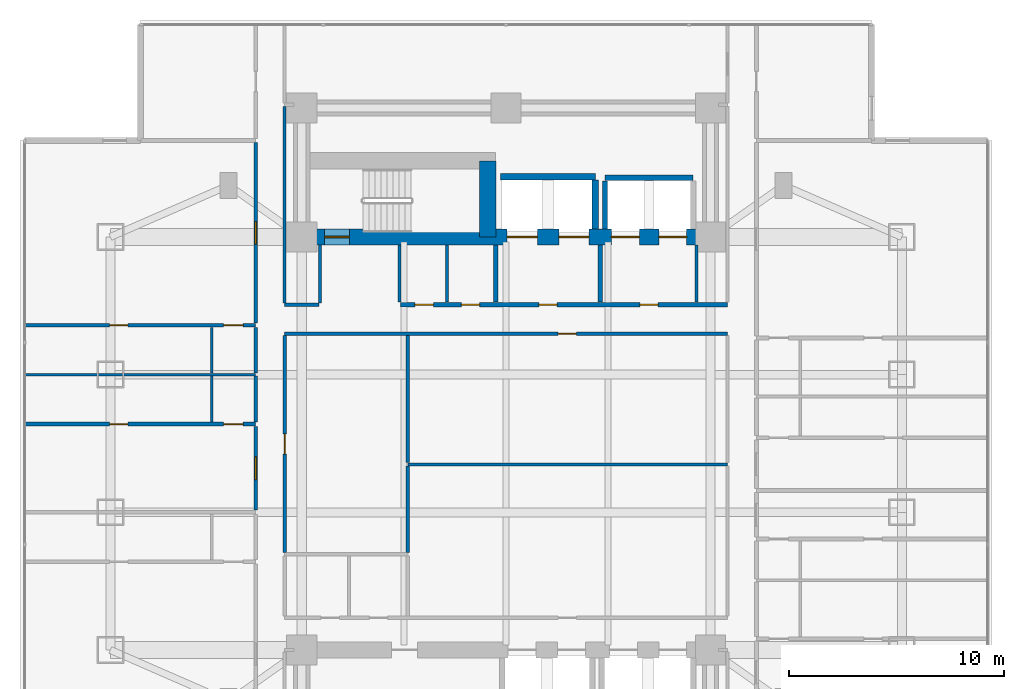
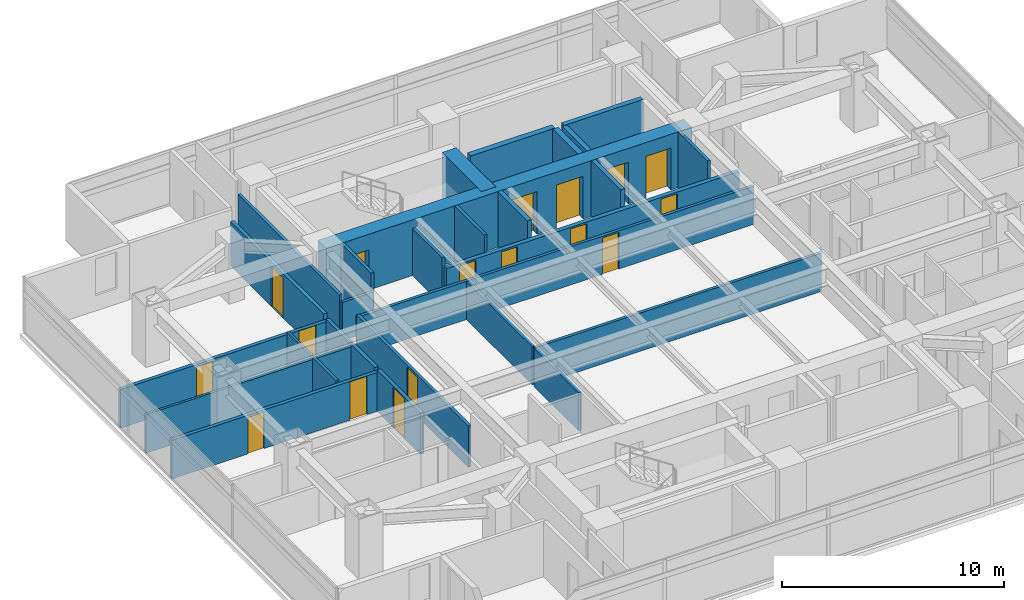
# One storey, part 15 of 26: 29 walls, 17 doors, 17 openings.
"""IFC4 building model written with IfcOpenShell, lengths in metres."""

from ifc_helpers import new_model, si_unit, direction, frame, frame_2d, origin, place, context, subcontext, project, spatial, rectangle, extrude, material, layer, layer_set, type_object, element, fill, save


model = new_model("IFC4")

# Units and contexts
model_context = context("Model", 3, precision=1e-05, world=origin(), true_north=direction((0.0, 1.0)))
body_context = subcontext(model_context, "Body", "Model", "MODEL_VIEW")
ifc_project = project(units=[si_unit("LENGTHUNIT", "METRE"), si_unit("AREAUNIT", "SQUARE_METRE"), si_unit("VOLUMEUNIT", "CUBIC_METRE"), si_unit("PLANEANGLEUNIT", "RADIAN"), si_unit("MASSUNIT", "GRAM", prefix="KILO")], contexts=[model_context])

# Site, building, storey
site_placement = place(None, origin())
site = spatial("IfcSite", under=ifc_project, at=site_placement, CompositionType="ELEMENT")
building_placement = place(site_placement, origin())
building = spatial("IfcBuilding", under=site, at=building_placement, Name="Mirazonda Arch Towers", CompositionType="ELEMENT")
storey_placement = place(building_placement, frame((0.0, 0.0, 38.89990234375)))
storey = spatial("IfcBuildingStorey", under=building, at=storey_placement, Name="L10", CompositionType="ELEMENT", Elevation=38.89990234375)

# Wall, openings, doors
ifc_material_1 = material(Name="Concrete C60/75", Category="concrete")
ifc_layer_1 = layer(ifc_material_1, 0.75, Name="WALL-CORE-750")
ifc_layer_set_1 = layer_set([ifc_layer_1], Name="Concrete C60/75")
wall_type_1 = type_object("IfcWallType", Name="WALL-CORE-750", PredefinedType="SHEAR", material=ifc_layer_set_1)
wall_1_placement = place(storey_placement, frame((11.0, 37.60009765625, 0.0), z_axis=(0.0, 0.0, 1.0), x_axis=(1.0, 0.0, 0.0)))
wall_1 = element("IfcWall", 1, at=wall_1_placement, inside=storey, type_object=wall_type_1, Name="L10 T1N-S Core Shear Wall", PredefinedType="SHEAR", context=body_context, shape_type="SweptSolid", body=[
    extrude(rectangle(XDim=19.0, YDim=0.75, at=frame_2d((9.5, 0.0))), origin(), (0.0, 0.0, 1.0), 3.06005859375),
])
opening_1_placement = place(wall_1_placement, frame((1.06005859375, 0.0, 0.0)))
opening_1 = element("IfcOpeningElement", 2, at=opening_1_placement, cuts=wall_1, Name="Opening DR-135", PredefinedType="OPENING", context=body_context, shape_type="SweptSolid", body=[
    extrude(rectangle(XDim=1.14990234375, YDim=2.199951171875, at=frame_2d((0.574951171875, 1.10009765625))), frame((0.0, 0.385009765625, 0.0), z_axis=(0.0, -1.0, 0.0), x_axis=(1.0, 0.0, 0.0)), (0.0, 0.0, 1.0), 0.77001953125),
])
opening_2_placement = place(wall_1_placement, frame((9.550048828125, 0.0, 0.0)))
opening_2 = element("IfcOpeningElement", 3, at=opening_2_placement, cuts=wall_1, Name="Opening LD-112", PredefinedType="OPENING", context=body_context, shape_type="SweptSolid", body=[
    extrude(rectangle(XDim=1.39990234375, YDim=2.35009765625, at=frame_2d((0.699951171875, 1.175048828125))), frame((0.0, 0.385009765625, 0.0), z_axis=(0.0, -1.0, 0.0), x_axis=(1.0, 0.0, 0.0)), (0.0, 0.0, 1.0), 0.77001953125),
])
opening_3_placement = place(wall_1_placement, frame((11.949951171875, 0.0, 0.0)))
opening_3 = element("IfcOpeningElement", 4, at=opening_3_placement, cuts=wall_1, Name="Opening LD-112", PredefinedType="OPENING", context=body_context, shape_type="SweptSolid", body=[
    extrude(rectangle(XDim=1.39990234375, YDim=2.35009765625, at=frame_2d((0.699951171875, 1.175048828125))), frame((0.0, 0.385009765625, 0.0), z_axis=(0.0, -1.0, 0.0), x_axis=(1.0, 0.0, 0.0)), (0.0, 0.0, 1.0), 0.77001953125),
])
opening_4_placement = place(wall_1_placement, frame((14.39990234375, 0.0, 0.0)))
opening_4 = element("IfcOpeningElement", 5, at=opening_4_placement, cuts=wall_1, Name="Opening LD-111", PredefinedType="OPENING", context=body_context, shape_type="SweptSolid", body=[
    extrude(rectangle(XDim=1.300048828125, YDim=2.300048828125, at=frame_2d((0.64990234375, 1.14990234375))), frame((0.0, 0.385009765625, 0.0), z_axis=(0.0, -1.0, 0.0), x_axis=(1.0, 0.0, 0.0)), (0.0, 0.0, 1.0), 0.77001953125),
])
opening_5_placement = place(wall_1_placement, frame((16.60009765625, 0.0, 0.0)))
opening_5 = element("IfcOpeningElement", 6, at=opening_5_placement, cuts=wall_1, Name="Opening LD-111", PredefinedType="OPENING", context=body_context, shape_type="SweptSolid", body=[
    extrude(rectangle(XDim=1.300048828125, YDim=2.300048828125, at=frame_2d((0.64990234375, 1.14990234375))), frame((0.0, 0.385009765625, 0.0), z_axis=(0.0, -1.0, 0.0), x_axis=(1.0, 0.0, 0.0)), (0.0, 0.0, 1.0), 0.77001953125),
])
ifc_material_2 = material(Name="Architectural Brushed Steel S355", Category="steel")
door_type_1 = type_object("IfcDoorType", Name="DOOR-LIFT-FFL-1400", OperationType="NOTDEFINED", PredefinedType="DOOR", material=ifc_material_2)
door_1_placement = place(opening_2_placement, origin())
door_1 = element("IfcDoor", 7, at=door_1_placement, inside=storey, type_object=door_type_1, Name="L10 Lift Landing Sliding Door FFL-T1", OperationType="DOUBLE_DOOR_SLIDING", OverallHeight=2.35009765625, OverallWidth=1.39990234375, PredefinedType="DOOR", context=body_context, shape_type="SweptSolid", body=[
    extrude(rectangle(XDim=1.39990234375, YDim=2.35009765625, at=frame_2d((0.699951171875, 1.175048828125))), frame((0.0, 0.02490234375, 0.0), z_axis=(0.0, -1.0, 0.0), x_axis=(1.0, 0.0, 0.0)), (0.0, 0.0, 1.0), 0.050048828125),
])
fill(opening_2, door_1)
door_2_placement = place(opening_3_placement, origin())
door_2 = element("IfcDoor", 8, at=door_2_placement, inside=storey, type_object=door_type_1, Name="L10 Lift Landing Sliding Door SVL-T1", OperationType="DOUBLE_DOOR_SLIDING", OverallHeight=2.35009765625, OverallWidth=1.39990234375, PredefinedType="DOOR", context=body_context, shape_type="SweptSolid", body=[
    extrude(rectangle(XDim=1.39990234375, YDim=2.35009765625, at=frame_2d((0.699951171875, 1.175048828125))), frame((0.0, 0.02490234375, 0.0), z_axis=(0.0, -1.0, 0.0), x_axis=(1.0, 0.0, 0.0)), (0.0, 0.0, 1.0), 0.050048828125),
])
fill(opening_3, door_2)
door_type_2 = type_object("IfcDoorType", Name="DOOR-LIFT-LAND-1300", OperationType="NOTDEFINED", PredefinedType="DOOR", material=ifc_material_2)
door_3_placement = place(opening_4_placement, origin())
door_3 = element("IfcDoor", 9, at=door_3_placement, inside=storey, type_object=door_type_2, Name="L10 Lift Landing Sliding Door PL-T1L1", OperationType="DOUBLE_DOOR_SLIDING", OverallHeight=2.300048828125, OverallWidth=1.300048828125, PredefinedType="DOOR", context=body_context, shape_type="SweptSolid", body=[
    extrude(rectangle(XDim=1.300048828125, YDim=2.300048828125, at=frame_2d((0.64990234375, 1.14990234375))), frame((0.0, 0.02490234375, 0.0), z_axis=(0.0, -1.0, 0.0), x_axis=(1.0, 0.0, 0.0)), (0.0, 0.0, 1.0), 0.050048828125),
])
fill(opening_4, door_3)
door_4_placement = place(opening_5_placement, origin())
door_4 = element("IfcDoor", 10, at=door_4_placement, inside=storey, type_object=door_type_2, Name="L10 Lift Landing Sliding Door PL-T1L2", OperationType="DOUBLE_DOOR_SLIDING", OverallHeight=2.300048828125, OverallWidth=1.300048828125, PredefinedType="DOOR", context=body_context, shape_type="SweptSolid", body=[
    extrude(rectangle(XDim=1.300048828125, YDim=2.300048828125, at=frame_2d((0.64990234375, 1.14990234375))), frame((0.0, 0.02490234375, 0.0), z_axis=(0.0, -1.0, 0.0), x_axis=(1.0, 0.0, 0.0)), (0.0, 0.0, 1.0), 0.050048828125),
])
fill(opening_5, door_4)
door_type_3 = type_object("IfcDoorType", Name="DOOR-STAIR-FD90-1150", OperationType="NOTDEFINED", PredefinedType="DOOR", material=ifc_material_2)
door_5_placement = place(opening_1_placement, origin())
door_5 = element("IfcDoor", 11, at=door_5_placement, inside=storey, type_object=door_type_3, Name="L10 Protected Exit Stair North Door", OperationType="SINGLE_SWING_RIGHT", OverallHeight=2.199951171875, OverallWidth=1.14990234375, PredefinedType="DOOR", context=body_context, shape_type="SweptSolid", body=[
    extrude(rectangle(XDim=1.14990234375, YDim=2.199951171875, at=frame_2d((0.574951171875, 1.10009765625))), frame((0.0, 0.02490234375, 0.0), z_axis=(0.0, -1.0, 0.0), x_axis=(1.0, 0.0, 0.0)), (0.0, 0.0, 1.0), 0.050048828125),
])
fill(opening_1, door_5)

# Wall
wall_2_placement = place(storey_placement, frame((19.64990234375, 37.60009765625, 0.0), z_axis=(0.0, 0.0, 1.0), x_axis=(0.0, 1.0, 0.0)))
element("IfcWall", 12, at=wall_2_placement, inside=storey, type_object=wall_type_1, Name="L10 T1N-STE Core Shear Wall", PredefinedType="SHEAR", context=body_context, shape_type="SweptSolid", body=[
    extrude(rectangle(XDim=3.54296875, YDim=0.75, at=frame_2d((1.771484375, 0.0))), origin(), (0.0, 0.0, 1.0), 3.06005859375),
])

# Wall, openings, doors
ifc_material_3 = material(Name="Concrete C40/50", Category="concrete")
ifc_layer_2 = layer(ifc_material_3, 0.219970703125, Name="WALL-FFL-220")
ifc_layer_set_2 = layer_set([ifc_layer_2], Name="Concrete C40/50")
wall_type_2 = type_object("IfcWallType", Name="WALL-FFL-220", PredefinedType="SOLIDWALL", material=ifc_layer_set_2)
wall_3_placement = place(storey_placement, frame((15.590087890625, 34.449951171875, 0.0), z_axis=(0.0, 0.0, 1.0), x_axis=(1.0, 0.0, 0.0)))
wall_3 = element("IfcWall", 13, at=wall_3_placement, inside=storey, type_object=wall_type_2, Name="L10 Interior Partition 050", PredefinedType="SOLIDWALL", context=body_context, shape_type="SweptSolid", body=[
    extrude(rectangle(XDim=15.2099609375, YDim=0.219970703125, at=frame_2d((7.60498046875, 0.0))), origin(), (0.0, 0.0, 1.0), 2.10400390625),
])
opening_6_placement = place(wall_3_placement, frame((6.43505859375, 0.0, 0.0)))
opening_6 = element("IfcOpeningElement", 14, at=opening_6_placement, cuts=wall_3, Name="Opening DR-128", PredefinedType="OPENING", context=body_context, shape_type="SweptSolid", body=[
    extrude(rectangle(XDim=0.85009765625, YDim=2.010009765625, at=frame_2d((0.425048828125, 1.0048828125))), frame((0.0, 0.119873046875, 0.0), z_axis=(0.0, -1.0, 0.0), x_axis=(1.0, 0.0, 0.0)), (0.0, 0.0, 1.0), 0.239990234375),
])
opening_7_placement = place(wall_3_placement, frame((11.135009765625, 0.0, 0.0)))
opening_7 = element("IfcOpeningElement", 15, at=opening_7_placement, cuts=wall_3, Name="Opening DR-128", PredefinedType="OPENING", context=body_context, shape_type="SweptSolid", body=[
    extrude(rectangle(XDim=0.85009765625, YDim=2.010009765625, at=frame_2d((0.425048828125, 1.0048828125))), frame((0.0, 0.119873046875, 0.0), z_axis=(0.0, -1.0, 0.0), x_axis=(1.0, 0.0, 0.0)), (0.0, 0.0, 1.0), 0.239990234375),
])
opening_8_placement = place(wall_3_placement, frame((0.675048828125, 0.0, 0.0)))
opening_8 = element("IfcOpeningElement", 16, at=opening_8_placement, cuts=wall_3, Name="Opening DR-128", PredefinedType="OPENING", context=body_context, shape_type="SweptSolid", body=[
    extrude(rectangle(XDim=0.85009765625, YDim=2.010009765625, at=frame_2d((0.425048828125, 1.0048828125))), frame((0.0, 0.119873046875, 0.0), z_axis=(0.0, -1.0, 0.0), x_axis=(1.0, 0.0, 0.0)), (0.0, 0.0, 1.0), 0.239990234375),
])
opening_9_placement = place(wall_3_placement, frame((2.8349609375, 0.0, 0.0)))
opening_9 = element("IfcOpeningElement", 17, at=opening_9_placement, cuts=wall_3, Name="Opening DR-128", PredefinedType="OPENING", context=body_context, shape_type="SweptSolid", body=[
    extrude(rectangle(XDim=0.85009765625, YDim=2.010009765625, at=frame_2d((0.425048828125, 1.0048828125))), frame((0.0, 0.119873046875, 0.0), z_axis=(0.0, -1.0, 0.0), x_axis=(1.0, 0.0, 0.0)), (0.0, 0.0, 1.0), 0.239990234375),
])
door_type_4 = type_object("IfcDoorType", Name="DOOR-RISER-FD60-850", OperationType="NOTDEFINED", PredefinedType="DOOR", material=ifc_material_2)
door_6_placement = place(opening_6_placement, origin())
door_6 = element("IfcDoor", 18, at=door_6_placement, inside=storey, type_object=door_type_4, Name="L10 Firefighting Lift Lobby Door", OperationType="SINGLE_SWING_LEFT", OverallHeight=2.010009765625, OverallWidth=0.85009765625, PredefinedType="DOOR", context=body_context, shape_type="SweptSolid", body=[
    extrude(rectangle(XDim=0.85009765625, YDim=2.010009765625, at=frame_2d((0.425048828125, 1.0048828125))), frame((0.0, 0.02490234375, 0.0), z_axis=(0.0, -1.0, 0.0), x_axis=(1.0, 0.0, 0.0)), (0.0, 0.0, 1.0), 0.050048828125),
])
fill(opening_6, door_6)
door_7_placement = place(opening_7_placement, origin())
door_7 = element("IfcDoor", 19, at=door_7_placement, inside=storey, type_object=door_type_4, Name="L10 Passenger Lift Lobby North Door", OperationType="SINGLE_SWING_RIGHT", OverallHeight=2.010009765625, OverallWidth=0.85009765625, PredefinedType="DOOR", context=body_context, shape_type="SweptSolid", body=[
    extrude(rectangle(XDim=0.85009765625, YDim=2.010009765625, at=frame_2d((0.425048828125, 1.0048828125))), frame((0.0, 0.02490234375, 0.0), z_axis=(0.0, -1.0, 0.0), x_axis=(1.0, 0.0, 0.0)), (0.0, 0.0, 1.0), 0.050048828125),
])
fill(opening_7, door_7)
door_8_placement = place(opening_8_placement, origin())
door_8 = element("IfcDoor", 20, at=door_8_placement, inside=storey, type_object=door_type_4, Name="L10 Electrical Room Door", OperationType="SINGLE_SWING_LEFT", OverallHeight=2.010009765625, OverallWidth=0.85009765625, PredefinedType="DOOR", context=body_context, shape_type="SweptSolid", body=[
    extrude(rectangle(XDim=0.85009765625, YDim=2.010009765625, at=frame_2d((0.425048828125, 1.0048828125))), frame((0.0, 0.02490234375, 0.0), z_axis=(0.0, -1.0, 0.0), x_axis=(1.0, 0.0, 0.0)), (0.0, 0.0, 1.0), 0.050048828125),
])
fill(opening_8, door_8)
door_9_placement = place(opening_9_placement, origin())
door_9 = element("IfcDoor", 21, at=door_9_placement, inside=storey, type_object=door_type_4, Name="L10 Cleaners & Housekeeping Store Door", OperationType="SINGLE_SWING_RIGHT", OverallHeight=2.010009765625, OverallWidth=0.85009765625, PredefinedType="DOOR", context=body_context, shape_type="SweptSolid", body=[
    extrude(rectangle(XDim=0.85009765625, YDim=2.010009765625, at=frame_2d((0.425048828125, 1.0048828125))), frame((0.0, 0.02490234375, 0.0), z_axis=(0.0, -1.0, 0.0), x_axis=(1.0, 0.0, 0.0)), (0.0, 0.0, 1.0), 0.050048828125),
])
fill(opening_9, door_9)

# Walls
for number, where, z_axis, x_axis, name in (
    (22, (20.02490234375, 34.570068359375, 0.0), (0.0, 0.0, 1.0), (0.0, 1.0, 0.0), "L10 Interior Partition 091"),
    (23, (24.875, 34.570068359375, 0.0), (0.0, 0.0, 1.0), (0.0, 1.0, 0.0), "L10 Interior Partition 097"),
):
    element("IfcWall", number, at=place(storey_placement, frame(where, z_axis=z_axis, x_axis=x_axis)), inside=storey, type_object=wall_type_2, Name=name, PredefinedType="SOLIDWALL", context=body_context, shape_type="SweptSolid", body=[
        extrude(rectangle(XDim=2.659912109375, YDim=0.219970703125, at=frame_2d((1.330078125, 0.0))), origin(), (0.0, 0.0, 1.0), 3.06005859375),
    ])
ifc_material_4 = material(Name="Fire-Rated Gypsum Stud Partition")
ifc_layer_3 = layer(ifc_material_4, 0.14990234375, Name="WALL-PART-CORR-150")
ifc_layer_set_3 = layer_set([ifc_layer_3], Name="Fire-Rated Gypsum Stud Partition")
wall_type_3 = type_object("IfcWallType", Name="WALL-PART-CORR-150", PredefinedType="PARTITIONING", material=ifc_layer_set_3)
wall_4_placement = place(storey_placement, frame((15.929931640625, 27.028076171875, 0.0), z_axis=(0.0, 0.0, 1.0), x_axis=(1.0, 0.0, 0.0)))
element("IfcWall", 24, at=wall_4_placement, inside=storey, type_object=wall_type_3, Name="L10 Interior Partition 034", PredefinedType="PARTITIONING", context=body_context, shape_type="SweptSolid", body=[
    extrude(rectangle(XDim=14.8701171875, YDim=0.14990234375, at=frame_2d((7.43505859375, 0.0))), origin(), (0.0, 0.0, 1.0), 2.10400390625),
])

# Wall, opening, door
wall_5_placement = place(storey_placement, frame((10.199951171875, 33.10009765625, 0.0), z_axis=(0.0, 0.0, 1.0), x_axis=(1.0, 0.0, 0.0)))
wall_5 = element("IfcWall", 25, at=wall_5_placement, inside=storey, type_object=wall_type_3, Name="L10 Interior Partition 046", PredefinedType="PARTITIONING", context=body_context, shape_type="SweptSolid", body=[
    extrude(rectangle(XDim=20.60009765625, YDim=0.14990234375, at=frame_2d((10.300048828125, 0.0))), origin(), (0.0, 0.0, 1.0), 2.10400390625),
])
opening_10_placement = place(wall_5_placement, frame((12.719970703125, 0.0, 0.0)))
opening_10 = element("IfcOpeningElement", 26, at=opening_10_placement, cuts=wall_5, Name="Opening DR-128", PredefinedType="OPENING", context=body_context, shape_type="SweptSolid", body=[
    extrude(rectangle(XDim=0.85009765625, YDim=2.010009765625, at=frame_2d((0.425048828125, 1.0048828125))), frame((0.0, 0.0849609375, 0.0), z_axis=(0.0, -1.0, 0.0), x_axis=(1.0, 0.0, 0.0)), (0.0, 0.0, 1.0), 0.169921875),
])
door_10_placement = place(opening_10_placement, origin())
door_10 = element("IfcDoor", 27, at=door_10_placement, inside=storey, type_object=door_type_4, Name="L10 Concierge Salon Door", OperationType="SINGLE_SWING_RIGHT", OverallHeight=2.010009765625, OverallWidth=0.85009765625, PredefinedType="DOOR", context=body_context, shape_type="SweptSolid", body=[
    extrude(rectangle(XDim=0.85009765625, YDim=2.010009765625, at=frame_2d((0.425048828125, 1.0048828125))), frame((0.0, 0.02490234375, 0.0), z_axis=(0.0, -1.0, 0.0), x_axis=(1.0, 0.0, 0.0)), (0.0, 0.0, 1.0), 0.050048828125),
])
fill(opening_10, door_10)

# Wall
wall_6_placement = place(storey_placement, frame((10.199951171875, 34.449951171875, 0.0), z_axis=(0.0, 0.0, 1.0), x_axis=(1.0, 0.0, 0.0)))
element("IfcWall", 28, at=wall_6_placement, inside=storey, type_object=wall_type_3, Name="L10 Interior Partition 049", PredefinedType="PARTITIONING", context=body_context, shape_type="SweptSolid", body=[
    extrude(rectangle(XDim=1.60009765625, YDim=0.14990234375, at=frame_2d((0.800048828125, 0.0))), origin(), (0.0, 0.0, 1.0), 2.10400390625),
])

# Wall, opening, door
wall_7_placement = place(storey_placement, frame((10.206787109375, 22.93505859375, 0.0), z_axis=(0.0, 0.0, 1.0), x_axis=(0.0, 1.0, 0.0)))
wall_7 = element("IfcWall", 29, at=wall_7_placement, inside=storey, type_object=wall_type_3, Name="L10 Interior Partition 079", PredefinedType="PARTITIONING", context=body_context, shape_type="SweptSolid", body=[
    extrude(rectangle(XDim=10.079833984375, YDim=0.14990234375, at=frame_2d((5.0400390625, 0.0))), origin(), (0.0, 0.0, 1.0), 2.279052734375),
])
opening_11_placement = place(wall_7_placement, frame((4.56494140625, 0.0, 0.0)))
opening_11 = element("IfcOpeningElement", 30, at=opening_11_placement, cuts=wall_7, Name="Opening DR-104", PredefinedType="OPENING", context=body_context, shape_type="SweptSolid", body=[
    extrude(rectangle(XDim=0.949951171875, YDim=2.14990234375, at=frame_2d((0.47509765625, 1.074951171875))), frame((0.0, 0.0849609375, 0.0), z_axis=(0.0, -1.0, 0.0), x_axis=(1.0, 0.0, 0.0)), (0.0, 0.0, 1.0), 0.169921875),
])
door_type_5 = type_object("IfcDoorType", Name="DOOR-ROOM-950", OperationType="NOTDEFINED", PredefinedType="DOOR", material=ifc_material_2)
door_11_placement = place(opening_11_placement, origin())
door_11 = element("IfcDoor", 31, at=door_11_placement, inside=storey, type_object=door_type_5, Name="L10 L10 West Courtyard Salon Door", OperationType="SINGLE_SWING_RIGHT", OverallHeight=2.14990234375, OverallWidth=0.949951171875, PredefinedType="DOOR", context=body_context, shape_type="SweptSolid", body=[
    extrude(rectangle(XDim=0.949951171875, YDim=2.14990234375, at=frame_2d((0.47509765625, 1.074951171875))), frame((0.0, 0.02490234375, 0.0), z_axis=(0.0, -1.0, 0.0), x_axis=(1.0, 0.0, 0.0)), (0.0, 0.0, 1.0), 0.050048828125),
])
fill(opening_11, door_11)

# Walls
wall_8_placement = place(storey_placement, frame((10.199951171875, 34.534912109375, 0.0), z_axis=(0.0, 0.0, 1.0), x_axis=(0.0, 1.0, 0.0)))
element("IfcWall", 32, at=wall_8_placement, inside=storey, type_object=wall_type_3, Name="L10 Interior Partition 080", PredefinedType="PARTITIONING", context=body_context, shape_type="SweptSolid", body=[
    extrude(rectangle(XDim=9.130126953125, YDim=0.14990234375, at=frame_2d((4.56494140625, 0.0))), origin(), (0.0, 0.0, 1.0), 2.43603515625),
])
wall_9_placement = place(storey_placement, frame((11.85009765625, 34.534912109375, 0.0), z_axis=(0.0, 0.0, 1.0), x_axis=(0.0, 1.0, 0.0)))
element("IfcWall", 33, at=wall_9_placement, inside=storey, type_object=wall_type_3, Name="L10 Interior Partition 082", PredefinedType="PARTITIONING", context=body_context, shape_type="SweptSolid", body=[
    extrude(rectangle(XDim=2.695068359375, YDim=0.14990234375, at=frame_2d((1.34765625, 0.0))), origin(), (0.0, 0.0, 1.0), 3.06005859375),
])
wall_10_placement = place(storey_placement, frame((15.550048828125, 34.570068359375, 0.0), z_axis=(0.0, 0.0, 1.0), x_axis=(0.0, 1.0, 0.0)))
element("IfcWall", 34, at=wall_10_placement, inside=storey, type_object=wall_type_3, Name="L10 Interior Partition 084", PredefinedType="PARTITIONING", context=body_context, shape_type="SweptSolid", body=[
    extrude(rectangle(XDim=2.659912109375, YDim=0.14990234375, at=frame_2d((1.330078125, 0.0))), origin(), (0.0, 0.0, 1.0), 2.589111328125),
])
wall_11_placement = place(storey_placement, frame((15.929931640625, 22.93505859375, 0.0), z_axis=(0.0, 0.0, 1.0), x_axis=(0.0, 1.0, 0.0)))
element("IfcWall", 35, at=wall_11_placement, inside=storey, type_object=wall_type_3, Name="L10 Interior Partition 086", PredefinedType="PARTITIONING", context=body_context, shape_type="SweptSolid", body=[
    extrude(rectangle(XDim=4.008056640625, YDim=0.14990234375, at=frame_2d((2.00390625, 0.0))), origin(), (0.0, 0.0, 1.0), 2.10400390625),
])
wall_12_placement = place(storey_placement, frame((15.929931640625, 27.113037109375, 0.0), z_axis=(0.0, 0.0, 1.0), x_axis=(0.0, 1.0, 0.0)))
element("IfcWall", 36, at=wall_12_placement, inside=storey, type_object=wall_type_3, Name="L10 Interior Partition 087", PredefinedType="PARTITIONING", context=body_context, shape_type="SweptSolid", body=[
    extrude(rectangle(XDim=5.90185546875, YDim=0.14990234375, at=frame_2d((2.950927734375, 0.0))), origin(), (0.0, 0.0, 1.0), 2.10400390625),
])
for number, where, z_axis, x_axis, name in (
    (37, (17.75, 34.570068359375, 0.0), (0.0, 0.0, 1.0), (0.0, 1.0, 0.0), "L10 Interior Partition 089"),
    (38, (29.35009765625, 34.570068359375, 0.0), (0.0, 0.0, 1.0), (0.0, 1.0, 0.0), "L10 Interior Partition 100"),
):
    element("IfcWall", number, at=place(storey_placement, frame(where, z_axis=z_axis, x_axis=x_axis)), inside=storey, type_object=wall_type_3, Name=name, PredefinedType="PARTITIONING", context=body_context, shape_type="SweptSolid", body=[
        extrude(rectangle(XDim=2.659912109375, YDim=0.14990234375, at=frame_2d((1.330078125, 0.0))), origin(), (0.0, 0.0, 1.0), 3.06005859375),
    ])

# Wall, openings, doors
ifc_material_5 = material(Name="Fire-Rated Gypsum Twin-Stud Assembly")
ifc_layer_4 = layer(ifc_material_5, 0.179931640625, Name="WALL-PART-DEMISE-180")
ifc_layer_set_4 = layer_set([ifc_layer_4], Name="Fire-Rated Gypsum Twin-Stud Assembly")
wall_type_4 = type_object("IfcWallType", Name="WALL-PART-DEMISE-180", PredefinedType="PARTITIONING", material=ifc_layer_set_4)
wall_13_placement = place(storey_placement, frame((-1.8798828125, 28.89990234375, 0.0), z_axis=(0.0, 0.0, 1.0), x_axis=(1.0, 0.0, 0.0)))
wall_13 = element("IfcWall", 39, at=wall_13_placement, inside=storey, type_object=wall_type_4, Name="L10 Interior Partition 037", PredefinedType="PARTITIONING", context=body_context, shape_type="SweptSolid", body=[
    extrude(rectangle(XDim=10.739990234375, YDim=0.179931640625, at=frame_2d((5.3701171875, 0.0))), origin(), (0.0, 0.0, 1.0), 2.125),
])
opening_12_placement = place(wall_13_placement, frame((3.945068359375, 0.0, 0.0)))
opening_12 = element("IfcOpeningElement", 40, at=opening_12_placement, cuts=wall_13, Name="Opening DR-128", PredefinedType="OPENING", context=body_context, shape_type="SweptSolid", body=[
    extrude(rectangle(XDim=0.85009765625, YDim=2.010009765625, at=frame_2d((0.425048828125, 1.0048828125))), frame((0.0, 0.099853515625, 0.0), z_axis=(0.0, -1.0, 0.0), x_axis=(1.0, 0.0, 0.0)), (0.0, 0.0, 1.0), 0.199951171875),
])
opening_13_placement = place(wall_13_placement, frame((9.25, 0.0, 0.0)))
opening_13 = element("IfcOpeningElement", 41, at=opening_13_placement, cuts=wall_13, Name="Opening DR-120", PredefinedType="OPENING", context=body_context, shape_type="SweptSolid", body=[
    extrude(rectangle(XDim=0.89990234375, YDim=2.10009765625, at=frame_2d((0.449951171875, 1.050048828125))), frame((0.0, 0.099853515625, 0.0), z_axis=(0.0, -1.0, 0.0), x_axis=(1.0, 0.0, 0.0)), (0.0, 0.0, 1.0), 0.199951171875),
])
door_12_placement = place(opening_12_placement, origin())
door_12 = element("IfcDoor", 42, at=door_12_placement, inside=storey, type_object=door_type_4, Name="L10 Suite Bedroom 2 Door", OperationType="SINGLE_SWING_RIGHT", OverallHeight=2.010009765625, OverallWidth=0.85009765625, PredefinedType="DOOR", context=body_context, shape_type="SweptSolid", body=[
    extrude(rectangle(XDim=0.85009765625, YDim=2.010009765625, at=frame_2d((0.425048828125, 1.0048828125))), frame((0.0, 0.02490234375, 0.0), z_axis=(0.0, -1.0, 0.0), x_axis=(1.0, 0.0, 0.0)), (0.0, 0.0, 1.0), 0.050048828125),
])
fill(opening_12, door_12)
door_type_6 = type_object("IfcDoorType", Name="DOOR-WC-900", OperationType="NOTDEFINED", PredefinedType="DOOR", material=ifc_material_2)
door_13_placement = place(opening_13_placement, origin())
door_13 = element("IfcDoor", 43, at=door_13_placement, inside=storey, type_object=door_type_6, Name="L10 Suite En-Suite Bathroom 2 Door", OperationType="SINGLE_SWING_LEFT", OverallHeight=2.10009765625, OverallWidth=0.89990234375, PredefinedType="DOOR", context=body_context, shape_type="SweptSolid", body=[
    extrude(rectangle(XDim=0.89990234375, YDim=2.10009765625, at=frame_2d((0.449951171875, 1.050048828125))), frame((0.0, 0.02490234375, 0.0), z_axis=(0.0, -1.0, 0.0), x_axis=(1.0, 0.0, 0.0)), (0.0, 0.0, 1.0), 0.050048828125),
])
fill(opening_13, door_13)

wall_14_placement = place(storey_placement, frame((-1.8798828125, 33.5, 0.0), z_axis=(0.0, 0.0, 1.0), x_axis=(1.0, 0.0, 0.0)))
wall_14 = element("IfcWall", 44, at=wall_14_placement, inside=storey, type_object=wall_type_4, Name="L10 Interior Partition 048", PredefinedType="PARTITIONING", context=body_context, shape_type="SweptSolid", body=[
    extrude(rectangle(XDim=10.739990234375, YDim=0.179931640625, at=frame_2d((5.3701171875, 0.0))), origin(), (0.0, 0.0, 1.0), 2.125),
])
opening_14_placement = place(wall_14_placement, frame((3.945068359375, 0.0, 0.0)))
opening_14 = element("IfcOpeningElement", 45, at=opening_14_placement, cuts=wall_14, Name="Opening DR-128", PredefinedType="OPENING", context=body_context, shape_type="SweptSolid", body=[
    extrude(rectangle(XDim=0.85009765625, YDim=2.010009765625, at=frame_2d((0.425048828125, 1.0048828125))), frame((0.0, 0.099853515625, 0.0), z_axis=(0.0, -1.0, 0.0), x_axis=(1.0, 0.0, 0.0)), (0.0, 0.0, 1.0), 0.199951171875),
])
opening_15_placement = place(wall_14_placement, frame((9.25, 0.0, 0.0)))
opening_15 = element("IfcOpeningElement", 46, at=opening_15_placement, cuts=wall_14, Name="Opening DR-120", PredefinedType="OPENING", context=body_context, shape_type="SweptSolid", body=[
    extrude(rectangle(XDim=0.89990234375, YDim=2.10009765625, at=frame_2d((0.449951171875, 1.050048828125))), frame((0.0, 0.099853515625, 0.0), z_axis=(0.0, -1.0, 0.0), x_axis=(1.0, 0.0, 0.0)), (0.0, 0.0, 1.0), 0.199951171875),
])
door_14_placement = place(opening_14_placement, origin())
door_14 = element("IfcDoor", 47, at=door_14_placement, inside=storey, type_object=door_type_4, Name="L10 Suite Bedroom 3 Door", OperationType="SINGLE_SWING_LEFT", OverallHeight=2.010009765625, OverallWidth=0.85009765625, PredefinedType="DOOR", context=body_context, shape_type="SweptSolid", body=[
    extrude(rectangle(XDim=0.85009765625, YDim=2.010009765625, at=frame_2d((0.425048828125, 1.0048828125))), frame((0.0, 0.02490234375, 0.0), z_axis=(0.0, -1.0, 0.0), x_axis=(1.0, 0.0, 0.0)), (0.0, 0.0, 1.0), 0.050048828125),
])
fill(opening_14, door_14)
door_15_placement = place(opening_15_placement, origin())
door_15 = element("IfcDoor", 48, at=door_15_placement, inside=storey, type_object=door_type_6, Name="L10 Suite En-Suite Bathroom 3 Door", OperationType="SINGLE_SWING_RIGHT", OverallHeight=2.10009765625, OverallWidth=0.89990234375, PredefinedType="DOOR", context=body_context, shape_type="SweptSolid", body=[
    extrude(rectangle(XDim=0.89990234375, YDim=2.10009765625, at=frame_2d((0.449951171875, 1.050048828125))), frame((0.0, 0.02490234375, 0.0), z_axis=(0.0, -1.0, 0.0), x_axis=(1.0, 0.0, 0.0)), (0.0, 0.0, 1.0), 0.050048828125),
])
fill(opening_15, door_15)

# Wall, opening, door
wall_15_placement = place(storey_placement, frame((8.860107421875, 24.89990234375, 0.0), z_axis=(0.0, 0.0, 1.0), x_axis=(0.0, 1.0, 0.0)))
wall_15 = element("IfcWall", 49, at=wall_15_placement, inside=storey, type_object=wall_type_4, Name="L10 Interior Partition 071", PredefinedType="PARTITIONING", context=body_context, shape_type="SweptSolid", body=[
    extrude(rectangle(XDim=3.900146484375, YDim=0.179931640625, at=frame_2d((1.9501953125, 0.0))), origin(), (0.0, 0.0, 1.0), 2.279052734375),
])
opening_16_placement = place(wall_15_placement, frame((1.425048828125, 0.0, 0.0)))
opening_16 = element("IfcOpeningElement", 50, at=opening_16_placement, cuts=wall_15, Name="Opening DR-121", PredefinedType="OPENING", context=body_context, shape_type="SweptSolid", body=[
    extrude(rectangle(XDim=1.050048828125, YDim=2.199951171875, at=frame_2d((0.52490234375, 1.10009765625))), frame((0.0, 0.099853515625, 0.0), z_axis=(0.0, -1.0, 0.0), x_axis=(1.0, 0.0, 0.0)), (0.0, 0.0, 1.0), 0.199951171875),
])
door_type_7 = type_object("IfcDoorType", Name="DOOR-SUITE-FD60-1050", OperationType="NOTDEFINED", PredefinedType="DOOR", material=ifc_material_2)
door_16_placement = place(opening_16_placement, origin())
door_16 = element("IfcDoor", 51, at=door_16_placement, inside=storey, type_object=door_type_7, Name="L10 Deluxe Suite Living Room 2 Door", OperationType="SINGLE_SWING_LEFT", OverallHeight=2.199951171875, OverallWidth=1.050048828125, PredefinedType="DOOR", context=body_context, shape_type="SweptSolid", body=[
    extrude(rectangle(XDim=1.050048828125, YDim=2.199951171875, at=frame_2d((0.52490234375, 1.10009765625))), frame((0.0, 0.02490234375, 0.0), z_axis=(0.0, -1.0, 0.0), x_axis=(1.0, 0.0, 0.0)), (0.0, 0.0, 1.0), 0.050048828125),
])
fill(opening_16, door_16)

# Walls
for number, where, z_axis, x_axis, name in (
    (52, (8.860107421875, 29.0, 0.0), (0.0, 0.0, 1.0), (0.0, 1.0, 0.0), "L10 Interior Partition 072"),
    (53, (8.860107421875, 31.2724609375, 0.0), (0.0, 0.0, 1.0), (0.0, 1.0, 0.0), "L10 Interior Partition 073"),
):
    element("IfcWall", number, at=place(storey_placement, frame(where, z_axis=z_axis, x_axis=x_axis)), inside=storey, type_object=wall_type_4, Name=name, PredefinedType="PARTITIONING", context=body_context, shape_type="SweptSolid", body=[
        extrude(rectangle(XDim=2.12744140625, YDim=0.179931640625, at=frame_2d((1.063720703125, 0.0))), origin(), (0.0, 0.0, 1.0), 2.279052734375),
    ])

# Wall, opening, door
wall_16_placement = place(storey_placement, frame((8.860107421875, 33.60009765625, 0.0), z_axis=(0.0, 0.0, 1.0), x_axis=(0.0, 1.0, 0.0)))
wall_16 = element("IfcWall", 54, at=wall_16_placement, inside=storey, type_object=wall_type_4, Name="L10 Interior Partition 074", PredefinedType="PARTITIONING", context=body_context, shape_type="SweptSolid", body=[
    extrude(rectangle(XDim=8.389892578125, YDim=0.179931640625, at=frame_2d((4.19482421875, 0.0))), origin(), (0.0, 0.0, 1.0), 2.43603515625),
])
opening_17_placement = place(wall_16_placement, frame((3.669921875, 0.0, 0.0)))
opening_17 = element("IfcOpeningElement", 55, at=opening_17_placement, cuts=wall_16, Name="Opening DR-121", PredefinedType="OPENING", context=body_context, shape_type="SweptSolid", body=[
    extrude(rectangle(XDim=1.050048828125, YDim=2.199951171875, at=frame_2d((0.52490234375, 1.10009765625))), frame((0.0, 0.099853515625, 0.0), z_axis=(0.0, -1.0, 0.0), x_axis=(1.0, 0.0, 0.0)), (0.0, 0.0, 1.0), 0.199951171875),
])
door_17_placement = place(opening_17_placement, origin())
door_17 = element("IfcDoor", 56, at=door_17_placement, inside=storey, type_object=door_type_7, Name="L10 Presidential Hotel Suite 3 Door", OperationType="SINGLE_SWING_RIGHT", OverallHeight=2.199951171875, OverallWidth=1.050048828125, PredefinedType="DOOR", context=body_context, shape_type="SweptSolid", body=[
    extrude(rectangle(XDim=1.050048828125, YDim=2.199951171875, at=frame_2d((0.52490234375, 1.10009765625))), frame((0.0, 0.02490234375, 0.0), z_axis=(0.0, -1.0, 0.0), x_axis=(1.0, 0.0, 0.0)), (0.0, 0.0, 1.0), 0.050048828125),
])
fill(opening_17, door_17)

# Walls
ifc_material_6 = material(Name="Acoustic Fire-Rated Gypsum Partition")
ifc_layer_5 = layer(ifc_material_6, 0.125, Name="WALL-PART-UNIT-125")
ifc_layer_set_5 = layer_set([ifc_layer_5], Name="Acoustic Fire-Rated Gypsum Partition")
wall_type_5 = type_object("IfcWallType", Name="WALL-PART-UNIT-125", PredefinedType="PARTITIONING", material=ifc_layer_set_5)
wall_17_placement = place(storey_placement, frame((-1.8798828125, 31.199951171875, 0.0), z_axis=(0.0, 0.0, 1.0), x_axis=(1.0, 0.0, 0.0)))
element("IfcWall", 57, at=wall_17_placement, inside=storey, type_object=wall_type_5, Name="L10 Interior Partition 042", PredefinedType="PARTITIONING", context=body_context, shape_type="SweptSolid", body=[
    extrude(rectangle(XDim=10.739990234375, YDim=0.125, at=frame_2d((5.3701171875, 0.0))), origin(), (0.0, 0.0, 1.0), 2.125),
])
for number, where, z_axis, x_axis, name in (
    (58, (6.820068359375, 29.0, 0.0), (0.0, 0.0, 1.0), (0.0, 1.0, 0.0), "L10 Interior Partition 066"),
    (59, (6.820068359375, 31.2724609375, 0.0), (0.0, 0.0, 1.0), (0.0, 1.0, 0.0), "L10 Interior Partition 067"),
):
    element("IfcWall", number, at=place(storey_placement, frame(where, z_axis=z_axis, x_axis=x_axis)), inside=storey, type_object=wall_type_5, Name=name, PredefinedType="PARTITIONING", context=body_context, shape_type="SweptSolid", body=[
        extrude(rectangle(XDim=2.12744140625, YDim=0.125, at=frame_2d((1.063720703125, 0.0))), origin(), (0.0, 0.0, 1.0), 2.279052734375),
    ])
ifc_layer_6 = layer(ifc_material_3, 0.25, Name="WALL-SHAFT-250")
ifc_layer_set_6 = layer_set([ifc_layer_6], Name="Concrete C40/50")
wall_type_6 = type_object("IfcWallType", Name="WALL-SHAFT-250", PredefinedType="SOLIDWALL", material=ifc_layer_set_6)
wall_18_placement = place(storey_placement, frame((25.10009765625, 40.35009765625, 0.0), z_axis=(0.0, 0.0, 1.0), x_axis=(1.0, 0.0, 0.0)))
element("IfcWall", 60, at=wall_18_placement, inside=storey, type_object=wall_type_6, Name="L10 Interior Partition 059", PredefinedType="SOLIDWALL", context=body_context, shape_type="SweptSolid", body=[
    extrude(rectangle(XDim=4.099853515625, YDim=0.25, at=frame_2d((2.0498046875, 0.0))), origin(), (0.0, 0.0, 1.0), 3.06005859375),
])
wall_19_placement = place(storey_placement, frame((25.10009765625, 37.969970703125, 0.0), z_axis=(0.0, 0.0, 1.0), x_axis=(0.0, 1.0, 0.0)))
element("IfcWall", 61, at=wall_19_placement, inside=storey, type_object=wall_type_6, Name="L10 Interior Partition 098", PredefinedType="SOLIDWALL", context=body_context, shape_type="SweptSolid", body=[
    extrude(rectangle(XDim=2.2451171875, YDim=0.25, at=frame_2d((1.12255859375, 0.0))), origin(), (0.0, 0.0, 1.0), 3.06005859375),
])
ifc_material_7 = material(Name="Concrete C50/60", Category="concrete")
ifc_layer_7 = layer(ifc_material_7, 0.300048828125, Name="WALL-SHAFT-300")
ifc_layer_set_7 = layer_set([ifc_layer_7], Name="Concrete C50/60")
wall_type_7 = type_object("IfcWallType", Name="WALL-SHAFT-300", PredefinedType="SOLIDWALL", material=ifc_layer_set_7)
wall_20_placement = place(storey_placement, frame((20.25, 40.39990234375, 0.0), z_axis=(0.0, 0.0, 1.0), x_axis=(1.0, 0.0, 0.0)))
element("IfcWall", 62, at=wall_20_placement, inside=storey, type_object=wall_type_7, Name="L10 Interior Partition 060", PredefinedType="SOLIDWALL", context=body_context, shape_type="SweptSolid", body=[
    extrude(rectangle(XDim=4.39990234375, YDim=0.300048828125, at=frame_2d((2.199951171875, 0.0))), origin(), (0.0, 0.0, 1.0), 3.06005859375),
])
wall_21_placement = place(storey_placement, frame((24.64990234375, 37.969970703125, 0.0), z_axis=(0.0, 0.0, 1.0), x_axis=(0.0, 1.0, 0.0)))
element("IfcWall", 63, at=wall_21_placement, inside=storey, type_object=wall_type_7, Name="L10 Interior Partition 095", PredefinedType="SOLIDWALL", context=body_context, shape_type="SweptSolid", body=[
    extrude(rectangle(XDim=2.27001953125, YDim=0.300048828125, at=frame_2d((1.135009765625, 0.0))), origin(), (0.0, 0.0, 1.0), 3.06005859375),
])

save(model, "model.ifc")
